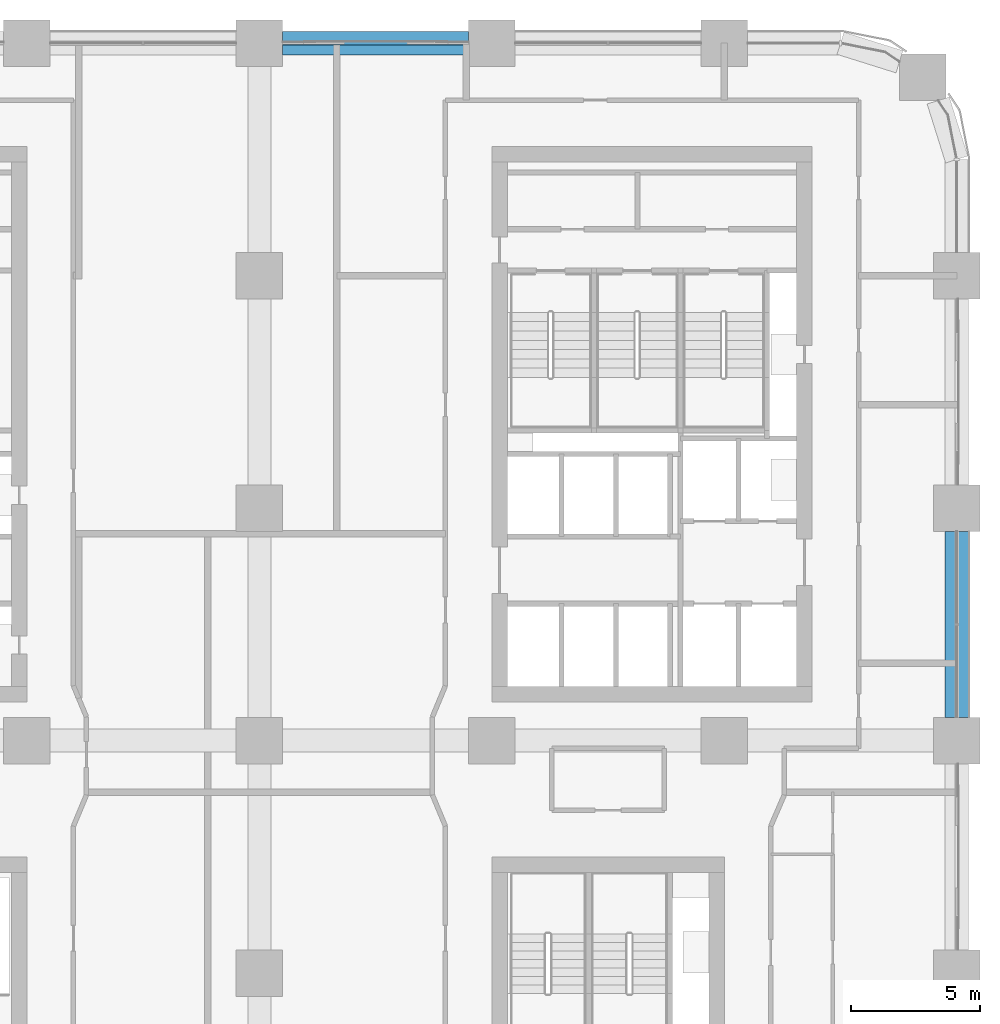
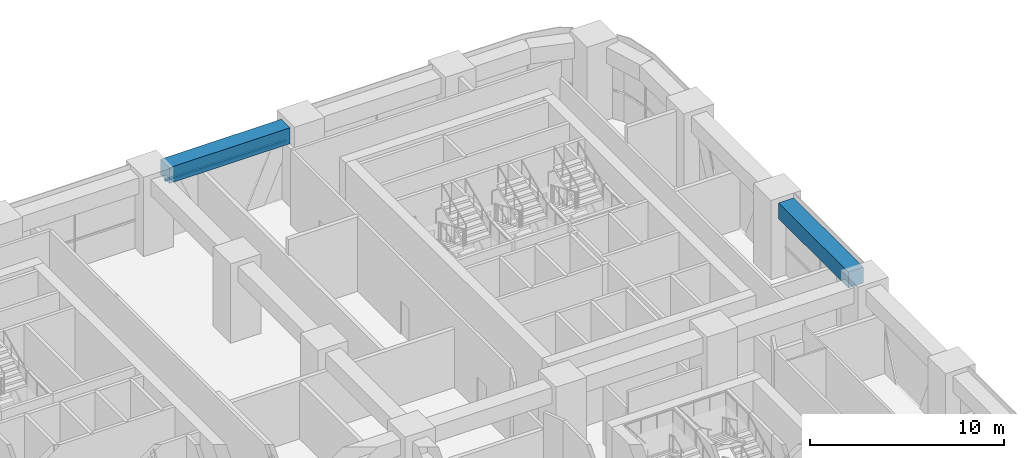
# One storey, part 9 of 26: 2 beams, 1 member, 1 element without a shape of its own.
"""IFC4 building model written with IfcOpenShell, lengths in metres."""

from ifc_helpers import new_model, si_unit, direction, frame, origin, origin_2d, place, context, subcontext, project, spatial, rectangle, extrude, material, material_profile, profile_set, type_object, element, aggregate, save


model = new_model("IFC4")

# Units and contexts
model_context = context("Model", 3, precision=1e-05, world=origin(), true_north=direction((0.0, 1.0)))
body_context = subcontext(model_context, "Body", "Model", "MODEL_VIEW")
ifc_project = project(units=[si_unit("LENGTHUNIT", "METRE"), si_unit("AREAUNIT", "SQUARE_METRE"), si_unit("VOLUMEUNIT", "CUBIC_METRE"), si_unit("PLANEANGLEUNIT", "RADIAN"), si_unit("MASSUNIT", "GRAM", prefix="KILO")], contexts=[model_context])

# Site, building, storey
site_placement = place(None, origin())
site = spatial("IfcSite", under=ifc_project, at=site_placement, CompositionType="ELEMENT")
building_placement = place(site_placement, origin())
building = spatial("IfcBuilding", under=site, at=building_placement, Name="Tessera Arch", CompositionType="ELEMENT")
storey_placement = place(building_placement, frame((0.0, 0.0, 72.800048828125)))
storey = spatial("IfcBuildingStorey", under=building, at=storey_placement, Name="L16", CompositionType="ELEMENT", Elevation=72.800048828125)

# Curtain wall, member
ifc_material_1 = material(Name="CW3 curtain wall")
curtain_wall_type = type_object("IfcCurtainWallType", Name="CW3 curtain wall", PredefinedType="NOTDEFINED", material=ifc_material_1)
curtain_wall_placement = place(storey_placement, origin())
curtain_wall = element("IfcCurtainWall", 1, at=curtain_wall_placement, inside=storey, type_object=curtain_wall_type, Name="CW3 curtain wall N54.0/2 L16", PredefinedType="NOTDEFINED")
ifc_material_2 = material(Name="Anodised aluminium pale metal", Category="aluminium")
ifc_material_profile_1 = material_profile(ifc_material_2, rectangle(XDim=0.139892578125, YDim=0.10009765625, at=origin_2d()), Name="AL 140x100")
ifc_profile_set_1 = profile_set([ifc_material_profile_1], Name="Anodised aluminium pale metal")
member_type = type_object("IfcMemberType", Name="CW3 transom", PredefinedType="USERDEFINED", material=ifc_profile_set_1)
member_placement = place(storey_placement, frame((35.10009765625, 54.0, 3.64990234375), z_axis=(-1.0, 0.0, 0.0), x_axis=(0.0, -1.0, 0.0)))
member = element("IfcMember", 2, at=member_placement, type_object=member_type, Name="CW3 transom N54.0/2 1.1", ObjectType="TRANSOM", PredefinedType="USERDEFINED", context=body_context, shape_type="SweptSolid", body=[
    extrude(rectangle(XDim=0.139892578125, YDim=0.10009765625, at=origin_2d()), origin(), (0.0, 0.0, 1.0), 7.2001953125),
])
aggregate(curtain_wall, [member])

# Beams
ifc_material_3 = material(Name="Concrete C80/95", Category="concrete")
ifc_material_profile_2 = material_profile(ifc_material_3, rectangle(XDim=0.89990234375, YDim=1.0, at=origin_2d()), Name="RC spandrel beam 900 x 1000 Concrete C80/95")
ifc_profile_set_2 = profile_set([ifc_material_profile_2], Name="Concrete C80/95")
beam_type = type_object("IfcBeamType", Name="RC spandrel beam 900 x 1000 Concrete C80/95", PredefinedType="BEAM", material=ifc_profile_set_2)
for number, where, z_axis, x_axis, name in (
    (3, (54.0, 27.89990234375, 4.199951171875), (0.0, 1.0, 0.0), (-1.0, 0.0, 0.0), "Spandrel beam L16 E54.0/3"),
    (4, (35.10009765625, 54.0, 4.199951171875), (-1.0, 0.0, 0.0), (0.0, -1.0, 0.0), "Spandrel beam L16 N54.0/2"),
):
    element("IfcBeam", number, at=place(storey_placement, frame(where, z_axis=z_axis, x_axis=x_axis)), inside=storey, type_object=beam_type, Name=name, PredefinedType="BEAM", context=body_context, shape_type="SweptSolid", body=[
        extrude(rectangle(XDim=0.89990234375, YDim=1.0, at=origin_2d()), origin(), (0.0, 0.0, 1.0), 7.2001953125),
    ])

save(model, "model.ifc")
